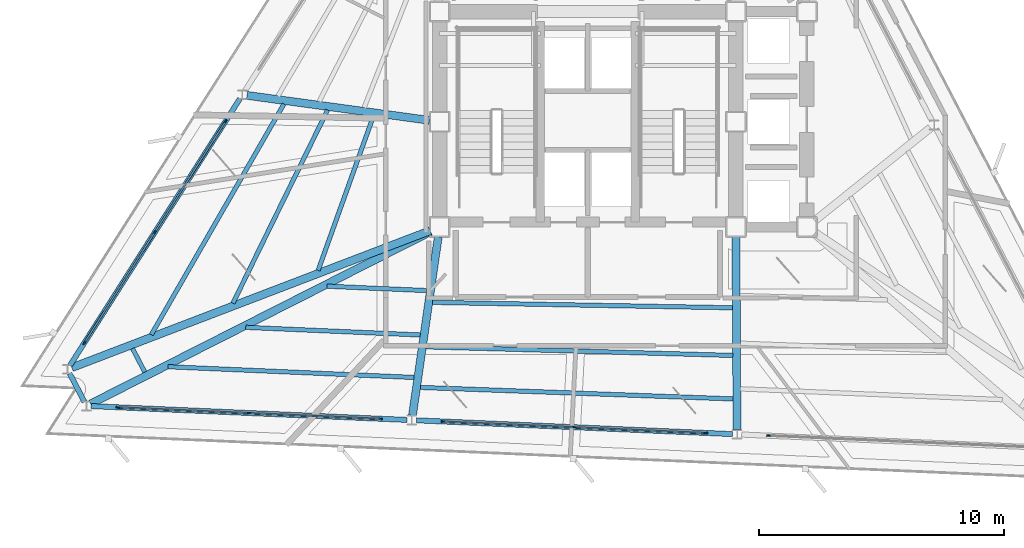
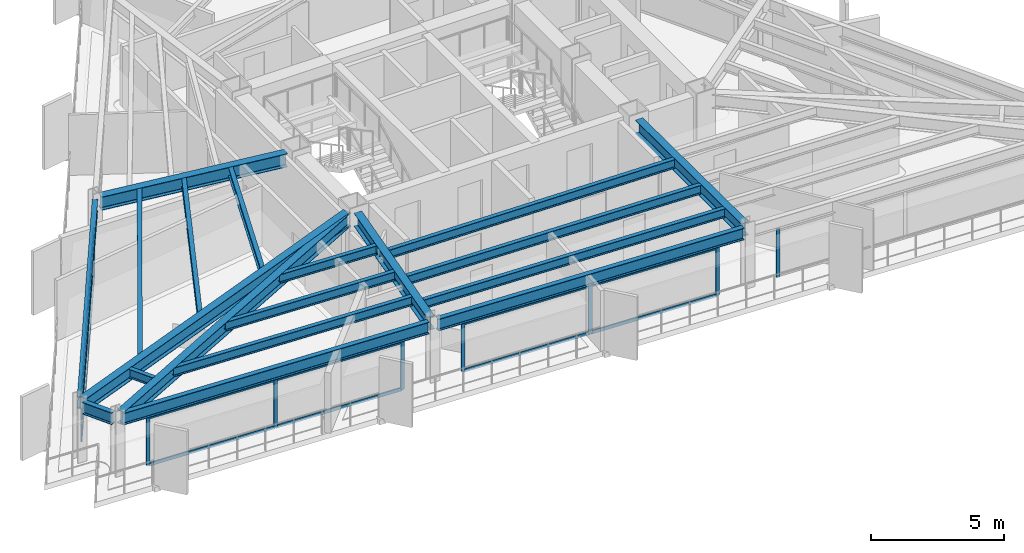
# One storey, part 2 of 12: 22 members, 19 beams, 4 elements without a shape of their own.
"""IFC4 building model written with IfcOpenShell, lengths in metres."""

import ifcopenshell
import ifcopenshell.guid

model = None  # the IFC model being written
_history = None  # IfcOwnerHistory: only IFC2X3 demands one
_inside = {}  # id of a spatial element -> (the spatial element, [elements in it])
_under = {}  # id of a project, library or spatial element -> (it, [spatial elements below it])
_declared = {}  # id of a project -> (the project, [libraries it declares])
_typed = {}  # id of a type object -> (the type object, [elements of that type])
_made_of = {}  # id of a material, layer set ... -> (it, [elements and type objects made of it])


def new_model(schema):
    """Start an empty IFC model of exactly this schema.

    Asked for "IFC4X3", IfcOpenShell would pick the latest addendum, in which some entities
    have other attributes; the version numbers below select the first issue.
    IFC2X3 requires an IfcOwnerHistory on every rooted entity: one is made here for all.
    """
    global model, _history
    if schema == "IFC4X3":
        model = ifcopenshell.file(schema_version=(4, 3, 0, 0))
    else:
        model = ifcopenshell.file(schema=schema)
    _inside.clear()
    _under.clear()
    _declared.clear()
    _typed.clear()
    _made_of.clear()
    _history = None
    if model.schema == "IFC2X3":
        org = make("IfcOrganization", Name="unknown")
        user = make(
            "IfcPersonAndOrganization",
            ThePerson=make("IfcPerson", FamilyName="unknown"),
            TheOrganization=org,
        )
        app = make(
            "IfcApplication",
            ApplicationDeveloper=org,
            Version="unknown",
            ApplicationFullName="unknown",
            ApplicationIdentifier="unknown",
        )
        _history = make(
            "IfcOwnerHistory",
            OwningUser=user,
            OwningApplication=app,
            ChangeAction="ADDED",
            CreationDate=0,
        )
    return model


def make(cls, **values):
    """One entity of the class cls with the attributes given. An attribute that is None is left unset."""
    return model.create_entity(
        cls, **{name: value for name, value in values.items() if value is not None}
    )


def rooted(cls, **values):
    """An entity with a GlobalId (a new one), such as an element, a storey or a relation."""
    return make(cls, GlobalId=ifcopenshell.guid.new(), OwnerHistory=_history, **values)


def si_unit(unit_type, name, prefix=None):
    """IfcSIUnit, for example si_unit("LENGTHUNIT", "METRE", prefix="MILLI")."""
    return make("IfcSIUnit", UnitType=unit_type, Prefix=prefix, Name=name)


def assignment(units):
    """IfcUnitAssignment: the units of a project."""
    return None if units is None else make("IfcUnitAssignment", Units=units)


def point(xyz):
    """IfcCartesianPoint."""
    return None if xyz is None else make("IfcCartesianPoint", Coordinates=xyz)


def direction(xyz):
    """IfcDirection."""
    return None if xyz is None else make("IfcDirection", DirectionRatios=xyz)


def frame(location, z_axis=None, x_axis=None):
    """IfcAxis2Placement3D, a coordinate frame: its origin and axes. An axis left out is left unset."""
    return make(
        "IfcAxis2Placement3D",
        Location=point(location),
        Axis=direction(z_axis),
        RefDirection=direction(x_axis),
    )


def frame_2d(location, x_axis=None):
    """IfcAxis2Placement2D, a coordinate frame in the plane: its origin and x axis."""
    return make(
        "IfcAxis2Placement2D", Location=point(location), RefDirection=direction(x_axis)
    )


def origin():
    """The frame at (0, 0, 0) with its axes left unset."""
    return frame((0.0, 0.0, 0.0))


def origin_2d():
    """The frame at (0, 0) in the plane with its x axis left unset."""
    return frame_2d((0.0, 0.0))


def place(relative_to, where):
    """IfcLocalPlacement: puts the frame where relative to a parent placement (None: the world)."""
    return make(
        "IfcLocalPlacement", PlacementRelTo=relative_to, RelativePlacement=where
    )


def context(
    kind, dimensions, precision=None, world=None, true_north=None, identifier=None
):
    """IfcGeometricRepresentationContext, for example the 3D "Model" context."""
    return make(
        "IfcGeometricRepresentationContext",
        ContextIdentifier=identifier,
        ContextType=kind,
        CoordinateSpaceDimension=dimensions,
        Precision=precision,
        WorldCoordinateSystem=world,
        TrueNorth=true_north,
    )


def subcontext(parent, identifier, kind, view, scale=None):
    """IfcGeometricRepresentationSubContext, for example "Body" below "Model"."""
    return make(
        "IfcGeometricRepresentationSubContext",
        ContextIdentifier=identifier,
        ContextType=kind,
        ParentContext=parent,
        TargetScale=scale,
        TargetView=view,
    )


def project(units=None, contexts=None):
    """IfcProject with its units and contexts."""
    return rooted(
        "IfcProject",
        Name="project",
        RepresentationContexts=contexts,
        UnitsInContext=assignment(units),
    )


def spatial(cls, under=None, at=None, **own):
    """A site, building, storey or space (cls), placed at a placement, below another one or the project."""
    s = rooted(cls, ObjectPlacement=at, **own)
    if under is not None:
        _under.setdefault(under.id(), (under, []))[1].append(s)
    return s


def profile(cls, at=None, kind="AREA", **sizes):
    """A parametric profile (cls). Its sizes go by their IFC names, for example OverallWidth=200.0."""
    return make(cls, ProfileType=kind, Position=at, **sizes)


def rectangle(**sizes):
    """IfcRectangleProfileDef."""
    return profile("IfcRectangleProfileDef", **sizes)


def i_section(**sizes):
    """IfcIShapeProfileDef."""
    return profile("IfcIShapeProfileDef", **sizes)


def extrude(swept, where, along, depth):
    """IfcExtrudedAreaSolid: the profile swept, set in the frame where, extruded along a direction by depth."""
    return make(
        "IfcExtrudedAreaSolid",
        SweptArea=swept,
        Position=where,
        ExtrudedDirection=direction(along),
        Depth=depth,
    )


def shape(context_of_items, identifier, shape_type, items):
    """IfcShapeRepresentation: the items that make up one representation, for example the "Body"."""
    return make(
        "IfcShapeRepresentation",
        ContextOfItems=context_of_items,
        RepresentationIdentifier=identifier,
        RepresentationType=shape_type,
        Items=items,
    )


def material(Name=None, Category=None):
    """IfcMaterial."""
    return make("IfcMaterial", Name=Name, Category=Category)


def layer(
    of_material, thickness, ventilated=None, Name=None, Category=None, Priority=None
):
    """IfcMaterialLayer: one layer of a wall or slab, of a material (None: an air gap)."""
    return make(
        "IfcMaterialLayer",
        Material=of_material,
        LayerThickness=thickness,
        IsVentilated=ventilated,
        Name=Name,
        Category=Category,
        Priority=Priority,
    )


def layer_set(layers, Name=None):
    """IfcMaterialLayerSet."""
    return make("IfcMaterialLayerSet", MaterialLayers=layers, LayerSetName=Name)


def material_profile(
    of_material, cross_section, Name=None, Category=None, Priority=None
):
    """IfcMaterialProfile: a cross section and its material."""
    return make(
        "IfcMaterialProfile",
        Name=Name,
        Material=of_material,
        Profile=cross_section,
        Priority=Priority,
        Category=Category,
    )


def profile_set(profiles, Name=None, composite=None):
    """IfcMaterialProfileSet."""
    return make(
        "IfcMaterialProfileSet",
        Name=Name,
        MaterialProfiles=profiles,
        CompositeProfile=composite,
    )


def made_of(thing, what):
    """Note that an element or type object is made of a material, layer set ...; save() writes the relation."""
    if what is not None:
        _made_of.setdefault(what.id(), (what, []))[1].append(thing)
    return thing


def type_object(cls, material=None, **own):
    """A type object (cls), such as IfcWallType, which elements share."""
    return made_of(rooted(cls, **own), material)


def element(
    cls,
    number,
    at=None,
    inside=None,
    cuts=None,
    type_object=None,
    material=None,
    context=None,
    identifier="Body",
    shape_type=None,
    held_by="IfcProductDefinitionShape",
    body=None,
    shapes=None,
    **own,
):
    """One element of the class cls, such as IfcWall. Its Tag is "e" and its number.

    at: its placement. inside: the storey or other place that contains it. cuts: it is an
    opening in that element (IfcRelVoidsElement). A single representation is given by context,
    identifier, shape_type and body (its items); several are given by shapes. held_by: the class
    of the entity that holds the representations. save() writes the other relations.
    """
    e = rooted(cls, Tag="e%d" % number, ObjectPlacement=at, **own)
    if body is not None:
        shapes = [shape(context, identifier, shape_type, body)]
    if shapes is not None:
        e.Representation = make(held_by, Representations=shapes)
    if inside is not None:
        _inside.setdefault(inside.id(), (inside, []))[1].append(e)
    if cuts is not None:
        rooted(
            "IfcRelVoidsElement", RelatingBuildingElement=cuts, RelatedOpeningElement=e
        )
    if type_object is not None:
        _typed.setdefault(type_object.id(), (type_object, []))[1].append(e)
    return made_of(e, material)


def aggregate(whole, parts):
    """IfcRelAggregates: a whole, such as a stair, and the parts it consists of."""
    return rooted("IfcRelAggregates", RelatingObject=whole, RelatedObjects=parts)


def save(model, path):
    """Write the relations noted so far, then the file.

    IfcRelAggregates (storeys below a building ...), IfcRelContainedInSpatialStructure (elements
    in a storey), IfcRelDefinesByType, IfcRelAssociatesMaterial and IfcRelDeclares: one each for
    every whole, place, type object, material and project.
    """
    for whole, parts in _under.values():
        aggregate(whole, parts)
    for where, things in _inside.values():
        rooted(
            "IfcRelContainedInSpatialStructure",
            RelatedElements=things,
            RelatingStructure=where,
        )
    for kind, things in _typed.values():
        rooted("IfcRelDefinesByType", RelatedObjects=things, RelatingType=kind)
    for what, things in _made_of.values():
        rooted("IfcRelAssociatesMaterial", RelatedObjects=things, RelatingMaterial=what)
    for by, libraries in _declared.values():
        rooted("IfcRelDeclares", RelatingContext=by, RelatedDefinitions=libraries)
    model.write(path)


model = new_model("IFC4")

# Units and contexts
model_context = context("Model", 3, precision=1e-05, world=origin(), true_north=direction((0.0, 1.0)))
body_context = subcontext(model_context, "Body", "Model", "MODEL_VIEW")
ifc_project = project(units=[si_unit("LENGTHUNIT", "METRE"), si_unit("AREAUNIT", "SQUARE_METRE"), si_unit("VOLUMEUNIT", "CUBIC_METRE"), si_unit("PLANEANGLEUNIT", "RADIAN"), si_unit("MASSUNIT", "GRAM", prefix="KILO")], contexts=[model_context])

# Site, building, storey
site_placement = place(None, origin())
site = spatial("IfcSite", under=ifc_project, at=site_placement, CompositionType="ELEMENT")
building_placement = place(site_placement, origin())
building = spatial("IfcBuilding", under=site, at=building_placement, Name="Rocaltana Carrier Exchange", CompositionType="ELEMENT")
storey_placement = place(building_placement, frame((0.0, 0.0, 141.1201171875)))
storey = spatial("IfcBuildingStorey", under=building, at=storey_placement, Name="L44", CompositionType="ELEMENT", Elevation=141.1201171875)

# Curtain wall, members
ifc_material_1 = material(Name="Aluminium 6063-T6", Category="aluminium")
ifc_layer = layer(ifc_material_1, 0.14990234375)
ifc_layer_set = layer_set([ifc_layer], Name="Aluminium 6063-T6")
curtain_wall_type = type_object("IfcCurtainWallType", Name="Mid-Tower Unitised Curtain Wall CW-03", PredefinedType="NOTDEFINED", material=ifc_layer_set)
curtain_wall_1_placement = place(storey_placement, origin())
curtain_wall_1 = element("IfcCurtainWall", 1, at=curtain_wall_1_placement, inside=storey, type_object=curtain_wall_type, Name="L44 CW-03 Run CW-L44-F2S3", PredefinedType="NOTDEFINED")
ifc_material_2 = material(Name="Aluminium 6063-T6", Category="aluminium")
ifc_material_profile_1 = material_profile(ifc_material_2, rectangle(XDim=0.06005859375, YDim=0.14990234375, at=origin_2d()), Name="AL-60X150")
ifc_profile_set_1 = profile_set([ifc_material_profile_1], Name="Aluminium 6063-T6")
member_type_1 = type_object("IfcMemberType", Name="CW-03 Mullion AL-60X150", PredefinedType="MULLION", material=ifc_profile_set_1)
member_1_placement = place(storey_placement, frame((-14.79541015625, 0.023193359375, 0.0), z_axis=(0.0, 0.0, 1.0), x_axis=(0.843390685726, -0.537300801443, 0.0)))
member_1 = element("IfcMember", 2, at=member_1_placement, type_object=member_type_1, Name="CW-03 mullion 1", PredefinedType="MULLION", context=body_context, shape_type="SweptSolid", body=[
    extrude(rectangle(XDim=0.06005859375, YDim=0.14990234375, at=origin_2d()), origin(), (0.0, 0.0, 1.0), 2.2177734375),
])
member_2_placement = place(storey_placement, frame((-17.680908203125, -4.505859375, 0.0), z_axis=(0.0, 0.0, 1.0), x_axis=(0.843390685726, -0.537300801443, 0.0)))
member_2 = element("IfcMember", 3, at=member_2_placement, type_object=member_type_1, Name="CW-03 mullion 2", PredefinedType="MULLION", context=body_context, shape_type="SweptSolid", body=[
    extrude(rectangle(XDim=0.06005859375, YDim=0.14990234375, at=origin_2d()), origin(), (0.0, 0.0, 1.0), 2.2177734375),
])
member_3_placement = place(storey_placement, frame((-20.566162109375, -9.034912109375, 0.0), z_axis=(0.0, 0.0, 1.0), x_axis=(0.843390685726, -0.537300801443, 0.0)))
member_3 = element("IfcMember", 4, at=member_3_placement, type_object=member_type_1, Name="CW-03 mullion 3", PredefinedType="MULLION", context=body_context, shape_type="SweptSolid", body=[
    extrude(rectangle(XDim=0.06005859375, YDim=0.14990234375, at=origin_2d()), origin(), (0.0, 0.0, 1.0), 2.2177734375),
])

curtain_wall_2_placement = place(storey_placement, origin())
curtain_wall_2 = element("IfcCurtainWall", 5, at=curtain_wall_2_placement, inside=storey, type_object=curtain_wall_type, Name="L44 CW-03 Run CW-L44-F3S1", PredefinedType="NOTDEFINED")
member_4_placement = place(storey_placement, frame((-19.197021484375, -11.66455078125, 0.0), z_axis=(0.0, 0.0, 1.0), x_axis=(0.043629290456, 0.999047789154, 0.0)))
member_4 = element("IfcMember", 6, at=member_4_placement, type_object=member_type_1, Name="CW-03 mullion 1", PredefinedType="MULLION", context=body_context, shape_type="SweptSolid", body=[
    extrude(rectangle(XDim=0.06005859375, YDim=0.14990234375, at=origin_2d()), origin(), (0.0, 0.0, 1.0), 2.2177734375),
])
member_5_placement = place(storey_placement, frame((-13.832275390625, -11.89892578125, 0.0), z_axis=(0.0, 0.0, 1.0), x_axis=(0.043629290456, 0.999047789154, 0.0)))
member_5 = element("IfcMember", 7, at=member_5_placement, type_object=member_type_1, Name="CW-03 mullion 2", PredefinedType="MULLION", context=body_context, shape_type="SweptSolid", body=[
    extrude(rectangle(XDim=0.06005859375, YDim=0.14990234375, at=origin_2d()), origin(), (0.0, 0.0, 1.0), 2.2177734375),
])
member_6_placement = place(storey_placement, frame((-8.46728515625, -12.13330078125, 0.0), z_axis=(0.0, 0.0, 1.0), x_axis=(0.043629290456, 0.999047789154, 0.0)))
member_6 = element("IfcMember", 8, at=member_6_placement, type_object=member_type_1, Name="CW-03 mullion 3", PredefinedType="MULLION", context=body_context, shape_type="SweptSolid", body=[
    extrude(rectangle(XDim=0.06005859375, YDim=0.14990234375, at=origin_2d()), origin(), (0.0, 0.0, 1.0), 2.2177734375),
])

curtain_wall_3_placement = place(storey_placement, origin())
curtain_wall_3 = element("IfcCurtainWall", 9, at=curtain_wall_3_placement, inside=storey, type_object=curtain_wall_type, Name="L44 CW-03 Run CW-L44-F3S2", PredefinedType="NOTDEFINED")
member_7_placement = place(storey_placement, frame((-5.90966796875, -12.244873046875, 0.0), z_axis=(0.0, 0.0, 1.0), x_axis=(0.043620452398, 0.999048175081, 0.0)))
member_7 = element("IfcMember", 10, at=member_7_placement, type_object=member_type_1, Name="CW-03 mullion 1", PredefinedType="MULLION", context=body_context, shape_type="SweptSolid", body=[
    extrude(rectangle(XDim=0.06005859375, YDim=0.14990234375, at=origin_2d()), origin(), (0.0, 0.0, 1.0), 2.2177734375),
])
member_8_placement = place(storey_placement, frame((-0.544921875, -12.47900390625, 0.0), z_axis=(0.0, 0.0, 1.0), x_axis=(0.043620452398, 0.999048175081, 0.0)))
member_8 = element("IfcMember", 11, at=member_8_placement, type_object=member_type_1, Name="CW-03 mullion 2", PredefinedType="MULLION", context=body_context, shape_type="SweptSolid", body=[
    extrude(rectangle(XDim=0.06005859375, YDim=0.14990234375, at=origin_2d()), origin(), (0.0, 0.0, 1.0), 2.2177734375),
])
member_9_placement = place(storey_placement, frame((4.820068359375, -12.71337890625, 0.0), z_axis=(0.0, 0.0, 1.0), x_axis=(0.043620452398, 0.999048175081, 0.0)))
member_9 = element("IfcMember", 12, at=member_9_placement, type_object=member_type_1, Name="CW-03 mullion 3", PredefinedType="MULLION", context=body_context, shape_type="SweptSolid", body=[
    extrude(rectangle(XDim=0.06005859375, YDim=0.14990234375, at=origin_2d()), origin(), (0.0, 0.0, 1.0), 2.2177734375),
])

# Curtain wall, member
curtain_wall_4_placement = place(storey_placement, origin())
curtain_wall_4 = element("IfcCurtainWall", 13, at=curtain_wall_4_placement, inside=storey, type_object=curtain_wall_type, Name="L44 CW-03 Run CW-L44-F3S3", PredefinedType="NOTDEFINED")
member_10_placement = place(storey_placement, frame((7.377685546875, -12.824951171875, 0.0), z_axis=(0.0, 0.0, 1.0), x_axis=(0.043629290456, 0.999047789154, 0.0)))
member_10 = element("IfcMember", 14, at=member_10_placement, type_object=member_type_1, Name="CW-03 mullion 1", PredefinedType="MULLION", context=body_context, shape_type="SweptSolid", body=[
    extrude(rectangle(XDim=0.06005859375, YDim=0.14990234375, at=origin_2d()), origin(), (0.0, 0.0, 1.0), 2.2177734375),
])
aggregate(curtain_wall_4, [member_10])

# Member
ifc_material_3 = material(Name="Aluminium 6063-T6", Category="aluminium")
ifc_material_profile_2 = material_profile(ifc_material_3, rectangle(XDim=0.06005859375, YDim=0.14990234375, at=origin_2d()), Name="AL-60X150")
ifc_profile_set_2 = profile_set([ifc_material_profile_2], Name="Aluminium 6063-T6")
member_type_2 = type_object("IfcMemberType", Name="CW-03 Transom AL-60X150", PredefinedType="USERDEFINED", material=ifc_profile_set_2)
member_11_placement = place(storey_placement, frame((-14.8115234375, -0.001953125, 0.02978515625), z_axis=(-0.537318678484, -0.843379296493, 0.0), x_axis=(0.843379296493, -0.537318678484, 0.0)))
member_11 = element("IfcMember", 15, at=member_11_placement, type_object=member_type_2, Name="CW-03 transom 1.1", ObjectType="TRANSOM", PredefinedType="USERDEFINED", context=body_context, shape_type="SweptSolid", body=[
    extrude(rectangle(XDim=0.06005859375, YDim=0.14990234375, at=origin_2d()), origin(), (0.0, 0.0, 1.0), 5.310302734375),
])

member_12_placement = place(storey_placement, frame((-14.8115234375, -0.001953125, 2.18798828125), z_axis=(-0.537318678484, -0.843379296493, 0.0), x_axis=(0.843379296493, -0.537318678484, 0.0)))
member_12 = element("IfcMember", 16, at=member_12_placement, type_object=member_type_2, Name="CW-03 transom 1.2", ObjectType="TRANSOM", PredefinedType="USERDEFINED", context=body_context, shape_type="SweptSolid", body=[
    extrude(rectangle(XDim=0.06005859375, YDim=0.14990234375, at=origin_2d()), origin(), (0.0, 0.0, 1.0), 5.310302734375),
])

member_13_placement = place(storey_placement, frame((-17.697021484375, -4.531005859375, 0.02978515625), z_axis=(-0.537285975238, -0.843400130906, 0.0), x_axis=(0.843400130906, -0.537285975238, 0.0)))
member_13 = element("IfcMember", 17, at=member_13_placement, type_object=member_type_2, Name="CW-03 transom 2.1", ObjectType="TRANSOM", PredefinedType="USERDEFINED", context=body_context, shape_type="SweptSolid", body=[
    extrude(rectangle(XDim=0.06005859375, YDim=0.14990234375, at=origin_2d()), origin(), (0.0, 0.0, 1.0), 5.31005859375),
])

member_14_placement = place(storey_placement, frame((-17.697021484375, -4.531005859375, 2.18798828125), z_axis=(-0.537285975238, -0.843400130906, 0.0), x_axis=(0.843400130906, -0.537285975238, 0.0)))
member_14 = element("IfcMember", 18, at=member_14_placement, type_object=member_type_2, Name="CW-03 transom 2.2", ObjectType="TRANSOM", PredefinedType="USERDEFINED", context=body_context, shape_type="SweptSolid", body=[
    extrude(rectangle(XDim=0.06005859375, YDim=0.14990234375, at=origin_2d()), origin(), (0.0, 0.0, 1.0), 5.31005859375),
])

aggregate(curtain_wall_1, [member_1, member_2, member_3, member_11, member_12, member_13, member_14])

member_15_placement = place(storey_placement, frame((-19.167236328125, -11.666015625, 0.02978515625), z_axis=(0.999047725225, -0.043630754314, 0.0), x_axis=(0.043630754314, 0.999047725225, 0.0)))
member_15 = element("IfcMember", 19, at=member_15_placement, type_object=member_type_2, Name="CW-03 transom 1.1", ObjectType="TRANSOM", PredefinedType="USERDEFINED", context=body_context, shape_type="SweptSolid", body=[
    extrude(rectangle(XDim=0.06005859375, YDim=0.14990234375, at=origin_2d()), origin(), (0.0, 0.0, 1.0), 5.310302734375),
])

member_16_placement = place(storey_placement, frame((-19.167236328125, -11.666015625, 2.18798828125), z_axis=(0.999047725225, -0.043630754314, 0.0), x_axis=(0.043630754314, 0.999047725225, 0.0)))
member_16 = element("IfcMember", 20, at=member_16_placement, type_object=member_type_2, Name="CW-03 transom 1.2", ObjectType="TRANSOM", PredefinedType="USERDEFINED", context=body_context, shape_type="SweptSolid", body=[
    extrude(rectangle(XDim=0.06005859375, YDim=0.14990234375, at=origin_2d()), origin(), (0.0, 0.0, 1.0), 5.310302734375),
])

member_17_placement = place(storey_placement, frame((-13.80224609375, -11.900146484375, 0.02978515625), z_axis=(0.999047637698, -0.043632758442, 0.0), x_axis=(0.043632758442, 0.999047637698, 0.0)))
member_17 = element("IfcMember", 21, at=member_17_placement, type_object=member_type_2, Name="CW-03 transom 2.1", ObjectType="TRANSOM", PredefinedType="USERDEFINED", context=body_context, shape_type="SweptSolid", body=[
    extrude(rectangle(XDim=0.06005859375, YDim=0.14990234375, at=origin_2d()), origin(), (0.0, 0.0, 1.0), 5.31005859375),
])

member_18_placement = place(storey_placement, frame((-13.80224609375, -11.900146484375, 2.18798828125), z_axis=(0.999047637698, -0.043632758442, 0.0), x_axis=(0.043632758442, 0.999047637698, 0.0)))
member_18 = element("IfcMember", 22, at=member_18_placement, type_object=member_type_2, Name="CW-03 transom 2.2", ObjectType="TRANSOM", PredefinedType="USERDEFINED", context=body_context, shape_type="SweptSolid", body=[
    extrude(rectangle(XDim=0.06005859375, YDim=0.14990234375, at=origin_2d()), origin(), (0.0, 0.0, 1.0), 5.31005859375),
])

aggregate(curtain_wall_2, [member_4, member_5, member_6, member_15, member_16, member_17, member_18])

member_19_placement = place(storey_placement, frame((-5.879638671875, -12.24609375, 0.02978515625), z_axis=(0.999047637698, -0.043632758442, 0.0), x_axis=(0.043632758442, 0.999047637698, 0.0)))
member_19 = element("IfcMember", 23, at=member_19_placement, type_object=member_type_2, Name="CW-03 transom 1.1", ObjectType="TRANSOM", PredefinedType="USERDEFINED", context=body_context, shape_type="SweptSolid", body=[
    extrude(rectangle(XDim=0.06005859375, YDim=0.14990234375, at=origin_2d()), origin(), (0.0, 0.0, 1.0), 5.31005859375),
])

member_20_placement = place(storey_placement, frame((-5.879638671875, -12.24609375, 2.18798828125), z_axis=(0.999047637698, -0.043632758442, 0.0), x_axis=(0.043632758442, 0.999047637698, 0.0)))
member_20 = element("IfcMember", 24, at=member_20_placement, type_object=member_type_2, Name="CW-03 transom 1.2", ObjectType="TRANSOM", PredefinedType="USERDEFINED", context=body_context, shape_type="SweptSolid", body=[
    extrude(rectangle(XDim=0.06005859375, YDim=0.14990234375, at=origin_2d()), origin(), (0.0, 0.0, 1.0), 5.31005859375),
])

member_21_placement = place(storey_placement, frame((-0.514892578125, -12.48046875, 0.02978515625), z_axis=(0.999049640868, -0.04358686822, 0.0), x_axis=(0.04358686822, 0.999049640868, 0.0)))
member_21 = element("IfcMember", 25, at=member_21_placement, type_object=member_type_2, Name="CW-03 transom 2.1", ObjectType="TRANSOM", PredefinedType="USERDEFINED", context=body_context, shape_type="SweptSolid", body=[
    extrude(rectangle(XDim=0.06005859375, YDim=0.14990234375, at=origin_2d()), origin(), (0.0, 0.0, 1.0), 5.31005859375),
])

member_22_placement = place(storey_placement, frame((-0.514892578125, -12.48046875, 2.18798828125), z_axis=(0.999049640868, -0.04358686822, 0.0), x_axis=(0.04358686822, 0.999049640868, 0.0)))
member_22 = element("IfcMember", 26, at=member_22_placement, type_object=member_type_2, Name="CW-03 transom 2.2", ObjectType="TRANSOM", PredefinedType="USERDEFINED", context=body_context, shape_type="SweptSolid", body=[
    extrude(rectangle(XDim=0.06005859375, YDim=0.14990234375, at=origin_2d()), origin(), (0.0, 0.0, 1.0), 5.31005859375),
])

aggregate(curtain_wall_3, [member_7, member_8, member_9, member_19, member_20, member_21, member_22])

# Beams
ifc_material_4 = material(Name="Steel S355", Category="steel")
ifc_material_profile_3 = material_profile(ifc_material_4, i_section(OverallWidth=0.179931640625, OverallDepth=0.4130859375, WebThickness=0.009765625, FlangeThickness=0.01611328125, FilletRadius=0.012939453125, at=origin_2d()), Name="W16X50")
ifc_profile_set_3 = profile_set([ifc_material_profile_3], Name="Steel S355")
beam_type_1 = type_object("IfcBeamType", Name="Floor Joist W16X50", PredefinedType="JOIST", material=ifc_profile_set_3)
beam_1_placement = place(storey_placement, frame((-8.76171875, 0.217041015625, 2.581298828125), z_axis=(-0.33724376494, -0.941417358566, 0.0), x_axis=(0.941417358566, -0.33724376494, 0.0)))
element("IfcBeam", 27, at=beam_1_placement, inside=storey, type_object=beam_type_1, Name="FJ-L44-07-1", PredefinedType="JOIST", context=body_context, shape_type="SweptSolid", body=[
    extrude(i_section(OverallWidth=0.179931640625, OverallDepth=0.4130859375, WebThickness=0.009765625, FlangeThickness=0.01611328125, FilletRadius=0.012939453125, at=origin_2d()), origin(), (0.0, 0.0, 1.0), 6.680419921875),
])
beam_2_placement = place(storey_placement, frame((-10.631103515625, 0.4775390625, 2.581298828125), z_axis=(-0.439708785258, -0.898140403371, 0.0), x_axis=(0.898140403371, -0.439708785258, 0.0)))
element("IfcBeam", 28, at=beam_2_placement, inside=storey, type_object=beam_type_1, Name="FJ-L44-07-2", PredefinedType="JOIST", context=body_context, shape_type="SweptSolid", body=[
    extrude(i_section(OverallWidth=0.179931640625, OverallDepth=0.4130859375, WebThickness=0.009765625, FlangeThickness=0.01611328125, FilletRadius=0.012939453125, at=origin_2d()), origin(), (0.0, 0.0, 1.0), 8.788818359375),
])
beam_3_placement = place(storey_placement, frame((-12.412841796875, 0.724853515625, 2.581298828125), z_axis=(-0.498415428492, -0.866938325742, 0.0), x_axis=(0.866938325742, -0.498415428492, 0.0)))
element("IfcBeam", 29, at=beam_3_placement, inside=storey, type_object=beam_type_1, Name="FJ-L44-07-3", PredefinedType="JOIST", context=body_context, shape_type="SweptSolid", body=[
    extrude(i_section(OverallWidth=0.179931640625, OverallDepth=0.4130859375, WebThickness=0.009765625, FlangeThickness=0.01611328125, FilletRadius=0.012939453125, at=origin_2d()), origin(), (0.0, 0.0, 1.0), 10.871337890625),
])
beam_4_placement = place(storey_placement, frame((-18.59716796875, -9.26416015625, 2.581298828125), z_axis=(0.461805518623, -0.886981207788, 0.0), x_axis=(0.886981207788, 0.461805518623, 0.0)))
element("IfcBeam", 30, at=beam_4_placement, inside=storey, type_object=beam_type_1, Name="FJ-L44-08-3", PredefinedType="JOIST", context=body_context, shape_type="SweptSolid", body=[
    extrude(i_section(OverallWidth=0.179931640625, OverallDepth=0.4130859375, WebThickness=0.009765625, FlangeThickness=0.01611328125, FilletRadius=0.012939453125, at=origin_2d()), origin(), (0.0, 0.0, 1.0), 1.08642578125),
])
beam_5_placement = place(storey_placement, frame((-10.65478515625, -6.71875, 2.581298828125), z_axis=(0.999049367243, -0.043593139496, 0.0), x_axis=(0.043593139496, 0.999049367243, 0.0)))
element("IfcBeam", 31, at=beam_5_placement, inside=storey, type_object=beam_type_1, Name="FJ-L44-09-1", PredefinedType="JOIST", context=body_context, shape_type="SweptSolid", body=[
    extrude(i_section(OverallWidth=0.179931640625, OverallDepth=0.4130859375, WebThickness=0.009765625, FlangeThickness=0.01611328125, FilletRadius=0.012939453125, at=origin_2d()), origin(), (0.0, 0.0, 1.0), 4.0771484375),
])
beam_6_placement = place(storey_placement, frame((-13.97265625, -8.399658203125, 2.581298828125), z_axis=(0.999048136887, -0.043621327164, 0.0), x_axis=(0.043621327164, 0.999048136887, 0.0)))
element("IfcBeam", 32, at=beam_6_placement, inside=storey, type_object=beam_type_1, Name="FJ-L44-09-2", PredefinedType="JOIST", context=body_context, shape_type="SweptSolid", body=[
    extrude(i_section(OverallWidth=0.179931640625, OverallDepth=0.4130859375, WebThickness=0.009765625, FlangeThickness=0.01611328125, FilletRadius=0.012939453125, at=origin_2d()), origin(), (0.0, 0.0, 1.0), 7.135986328125),
])
beam_7_placement = place(storey_placement, frame((-17.146484375, -10.0078125, 2.581298828125), z_axis=(0.999049003147, -0.043601482906, 0.0), x_axis=(0.043601482906, 0.999049003147, 0.0)))
element("IfcBeam", 33, at=beam_7_placement, inside=storey, type_object=beam_type_1, Name="FJ-L44-09-3", PredefinedType="JOIST", context=body_context, shape_type="SweptSolid", body=[
    extrude(i_section(OverallWidth=0.179931640625, OverallDepth=0.4130859375, WebThickness=0.009765625, FlangeThickness=0.01611328125, FilletRadius=0.012939453125, at=origin_2d()), origin(), (0.0, 0.0, 1.0), 10.06201171875),
])
beam_8_placement = place(storey_placement, frame((-6.337890625, -7.37939453125, 2.581298828125), z_axis=(0.999837766755, -0.018012222821, 0.0), x_axis=(0.018012222821, 0.999837766755, 0.0)))
element("IfcBeam", 34, at=beam_8_placement, inside=storey, type_object=beam_type_1, Name="FJ-L44-10-1", PredefinedType="JOIST", context=body_context, shape_type="SweptSolid", body=[
    extrude(i_section(OverallWidth=0.179931640625, OverallDepth=0.4130859375, WebThickness=0.009765625, FlangeThickness=0.01611328125, FilletRadius=0.012939453125, at=origin_2d()), origin(), (0.0, 0.0, 1.0), 12.2529296875),
])
beam_9_placement = place(storey_placement, frame((-6.599853515625, -9.195556640625, 2.581298828125), z_axis=(0.999607887899, -0.028001258015, 0.0), x_axis=(0.028001258015, 0.999607887899, 0.0)))
element("IfcBeam", 35, at=beam_9_placement, inside=storey, type_object=beam_type_1, Name="FJ-L44-10-2", PredefinedType="JOIST", context=body_context, shape_type="SweptSolid", body=[
    extrude(i_section(OverallWidth=0.179931640625, OverallDepth=0.4130859375, WebThickness=0.009765625, FlangeThickness=0.01611328125, FilletRadius=0.012939453125, at=origin_2d()), origin(), (0.0, 0.0, 1.0), 12.529052734375),
])
beam_10_placement = place(storey_placement, frame((-6.839111328125, -10.853515625, 2.581298828125), z_axis=(0.999323856685, -0.036767233503, 0.0), x_axis=(0.036767233503, 0.999323856685, 0.0)))
element("IfcBeam", 36, at=beam_10_placement, inside=storey, type_object=beam_type_1, Name="FJ-L44-10-3", PredefinedType="JOIST", context=body_context, shape_type="SweptSolid", body=[
    extrude(i_section(OverallWidth=0.179931640625, OverallDepth=0.4130859375, WebThickness=0.009765625, FlangeThickness=0.01611328125, FilletRadius=0.012939453125, at=origin_2d()), origin(), (0.0, 0.0, 1.0), 12.7822265625),
])
ifc_material_5 = material(Name="Steel S355", Category="steel")
ifc_material_profile_4 = material_profile(ifc_material_5, i_section(OverallWidth=0.323974609375, OverallDepth=0.611083984375, WebThickness=0.0126953125, FlangeThickness=0.01904296875, FilletRadius=0.01611328125, at=origin_2d()), Name="W24X104")
ifc_profile_set_4 = profile_set([ifc_material_profile_4], Name="Steel S355")
beam_type_2 = type_object("IfcBeamType", Name="Radial Girder W24X104", PredefinedType="BEAM", material=ifc_profile_set_4)
beam_11_placement = place(storey_placement, frame((-6.463134765625, 0.056396484375, 2.482421875), z_axis=(-0.99076053877, 0.135622840321, 0.0), x_axis=(-0.135622840321, -0.99076053877, 0.0)))
element("IfcBeam", 37, at=beam_11_placement, inside=storey, type_object=beam_type_2, Name="RG-L44-07", PredefinedType="BEAM", context=body_context, shape_type="SweptSolid", body=[
    extrude(i_section(OverallWidth=0.323974609375, OverallDepth=0.611083984375, WebThickness=0.0126953125, FlangeThickness=0.01904296875, FilletRadius=0.01611328125, at=origin_2d()), origin(), (0.0, 0.0, 1.0), 7.524658203125),
])
beam_12_placement = place(storey_placement, frame((-6.439453125, -4.448974609375, 2.482421875), z_axis=(-0.934030584324, -0.357193039612, 0.0), x_axis=(0.357193039612, -0.934030584324, 0.0)))
element("IfcBeam", 38, at=beam_12_placement, inside=storey, type_object=beam_type_2, Name="RG-L44-08", PredefinedType="BEAM", context=body_context, shape_type="SweptSolid", body=[
    extrude(i_section(OverallWidth=0.323974609375, OverallDepth=0.611083984375, WebThickness=0.0126953125, FlangeThickness=0.01904296875, FilletRadius=0.01611328125, at=origin_2d()), origin(), (0.0, 0.0, 1.0), 15.669189453125),
])
beam_13_placement = place(storey_placement, frame((-6.422119140625, -4.488525390625, 2.482421875), z_axis=(-0.892045895073, -0.45194482084, 0.0), x_axis=(0.45194482084, -0.892045895073, 0.0)))
element("IfcBeam", 39, at=beam_13_placement, inside=storey, type_object=beam_type_2, Name="RG-L44-09", PredefinedType="BEAM", context=body_context, shape_type="SweptSolid", body=[
    extrude(i_section(OverallWidth=0.323974609375, OverallDepth=0.611083984375, WebThickness=0.0126953125, FlangeThickness=0.01904296875, FilletRadius=0.01611328125, at=origin_2d()), origin(), (0.0, 0.0, 1.0), 15.563232421875),
])
beam_14_placement = place(storey_placement, frame((-6.109619140625, -4.712646484375, 2.482421875), z_axis=(-0.14282324993, -0.989748210041, 0.0), x_axis=(0.989748210041, -0.14282324993, 0.0)))
element("IfcBeam", 40, at=beam_14_placement, inside=storey, type_object=beam_type_2, Name="RG-L44-10", PredefinedType="BEAM", context=body_context, shape_type="SweptSolid", body=[
    extrude(i_section(OverallWidth=0.323974609375, OverallDepth=0.611083984375, WebThickness=0.0126953125, FlangeThickness=0.01904296875, FilletRadius=0.01611328125, at=origin_2d()), origin(), (0.0, 0.0, 1.0), 7.3623046875),
])
beam_15_placement = place(storey_placement, frame((6.052490234375, -4.717041015625, 2.482421875), z_axis=(0.005745782097, -0.999983492858, 0.0), x_axis=(0.999983492858, 0.005745782097, 0.0)))
element("IfcBeam", 41, at=beam_15_placement, inside=storey, type_object=beam_type_2, Name="RG-L44-11", PredefinedType="BEAM", context=body_context, shape_type="SweptSolid", body=[
    extrude(i_section(OverallWidth=0.323974609375, OverallDepth=0.611083984375, WebThickness=0.0126953125, FlangeThickness=0.01904296875, FilletRadius=0.01611328125, at=origin_2d()), origin(), (0.0, 0.0, 1.0), 7.86083984375),
])
ifc_material_6 = material(Name="Steel S355", Category="steel")
ifc_material_profile_5 = material_profile(ifc_material_6, i_section(OverallWidth=0.2119140625, OverallDepth=0.5439453125, WebThickness=0.01318359375, FlangeThickness=0.021240234375, FilletRadius=0.014892578125, at=origin_2d()), Name="W21X83")
ifc_profile_set_5 = profile_set([ifc_material_profile_5], Name="Steel S355")
beam_type_3 = type_object("IfcBeamType", Name="Spandrel Edge Beam W21X83", PredefinedType="SPANDREL", material=ifc_profile_set_5)
beam_16_placement = place(storey_placement, frame((-14.210693359375, 0.94140625, 2.515869140625), z_axis=(-0.53728634902, -0.843399892789, 0.0), x_axis=(0.843399892789, -0.53728634902, 0.0)))
element("IfcBeam", 42, at=beam_16_placement, inside=storey, type_object=beam_type_3, Name="SP-L44-07", PredefinedType="SPANDREL", context=body_context, shape_type="SweptSolid", body=[
    extrude(i_section(OverallWidth=0.2119140625, OverallDepth=0.5439453125, WebThickness=0.01318359375, FlangeThickness=0.021240234375, FilletRadius=0.014892578125, at=origin_2d()), origin(), (0.0, 0.0, 1.0), 12.9169921875),
])
beam_17_placement = place(storey_placement, frame((-21.16552734375, -10.2841796875, 2.515869140625), z_axis=(0.461854518946, -0.886955694119, 0.0), x_axis=(0.886955694119, 0.461854518946, 0.0)))
element("IfcBeam", 43, at=beam_17_placement, inside=storey, type_object=beam_type_3, Name="SP-L44-08", PredefinedType="SPANDREL", context=body_context, shape_type="SweptSolid", body=[
    extrude(i_section(OverallWidth=0.2119140625, OverallDepth=0.5439453125, WebThickness=0.01318359375, FlangeThickness=0.021240234375, FilletRadius=0.014892578125, at=origin_2d()), origin(), (0.0, 0.0, 1.0), 1.302001953125),
])
for number, where, z_axis, x_axis, name in (
    (44, (-20.28466796875, -11.6171875, 2.515869140625), (0.999048081656, -0.043622592086, 0.0), (0.043622592086, 0.999048081656, 0.0), "SP-L44-09"),
    (45, (-6.997314453125, -12.197509765625, 2.515869140625), (0.999048905187, -0.043603727426, 0.0), (0.043603727426, 0.999048905187, 0.0), "SP-L44-10"),
):
    element("IfcBeam", number, at=place(storey_placement, frame(where, z_axis=z_axis, x_axis=x_axis)), inside=storey, type_object=beam_type_3, Name=name, PredefinedType="SPANDREL", context=body_context, shape_type="SweptSolid", body=[
        extrude(i_section(OverallWidth=0.2119140625, OverallDepth=0.5439453125, WebThickness=0.01318359375, FlangeThickness=0.021240234375, FilletRadius=0.014892578125, at=origin_2d()), origin(), (0.0, 0.0, 1.0), 12.9169921875),
    ])

save(model, "model.ifc")
